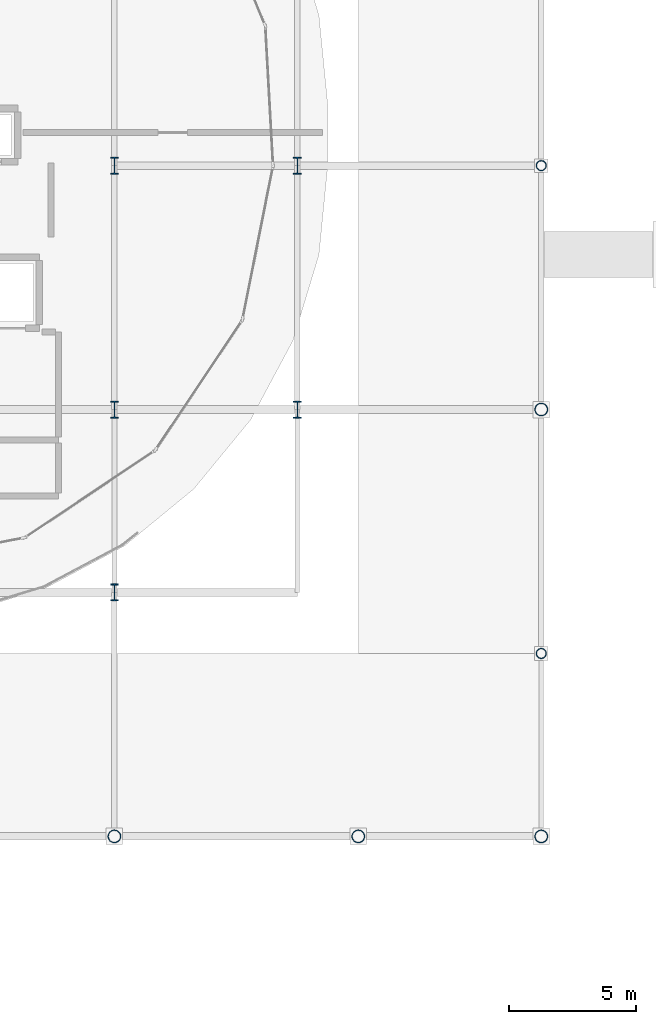
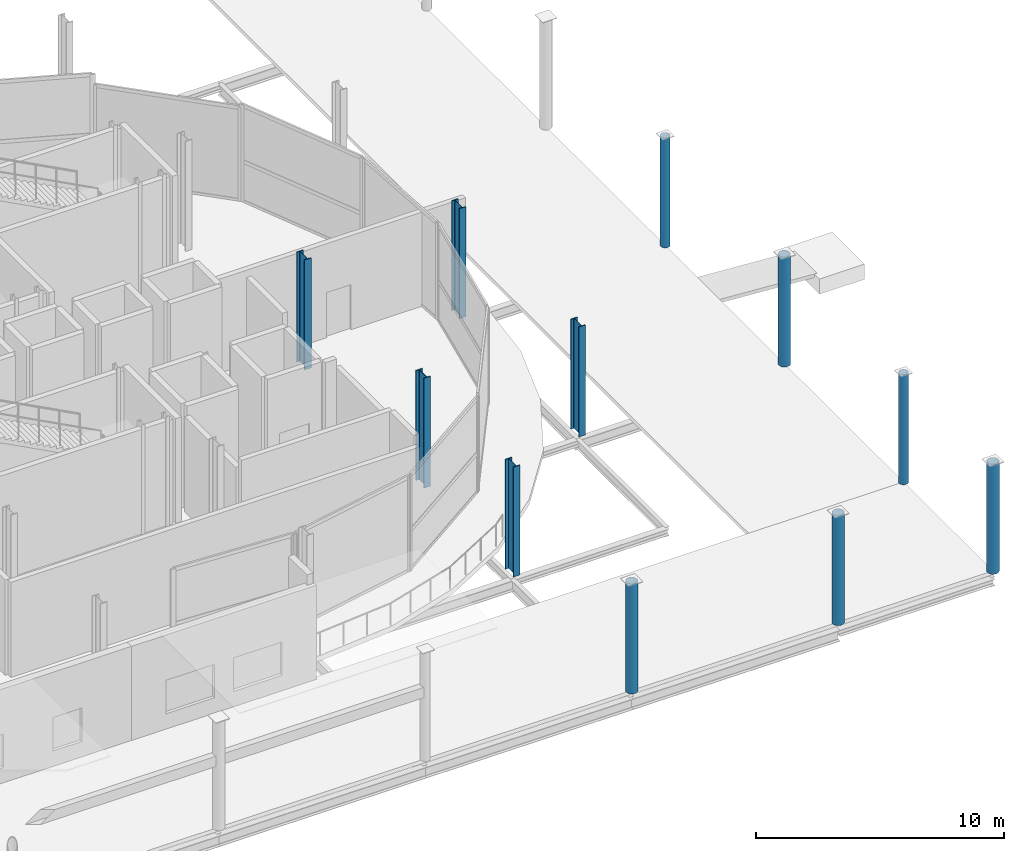
# One storey, part 21 of 84: 11 columns.
"""IFC4 building model written with IfcOpenShell, lengths in metres."""

from ifc_helpers import new_model, si_unit, direction, frame, origin, origin_2d, place, context, subcontext, project, spatial, hollow_circle, i_section, extrude, material, material_profile, profile_set, type_object, element, save


model = new_model("IFC4")

# Units and contexts
model_context = context("Model", 3, precision=1e-05, world=origin(), true_north=direction((0.0, 1.0)))
body_context = subcontext(model_context, "Body", "Model", "MODEL_VIEW")
ifc_project = project(units=[si_unit("LENGTHUNIT", "METRE"), si_unit("AREAUNIT", "SQUARE_METRE"), si_unit("VOLUMEUNIT", "CUBIC_METRE"), si_unit("PLANEANGLEUNIT", "RADIAN"), si_unit("MASSUNIT", "GRAM", prefix="KILO")], contexts=[model_context])

# Site, building, storey
site_placement = place(None, origin())
site = spatial("IfcSite", under=ifc_project, at=site_placement, CompositionType="ELEMENT")
building_placement = place(site_placement, origin())
building = spatial("IfcBuilding", under=site, at=building_placement, Name="Zevrakil Square Congress Hotel", CompositionType="ELEMENT")
storey_placement = place(building_placement, origin())
storey = spatial("IfcBuildingStorey", under=building, at=storey_placement, Name="L01", CompositionType="ELEMENT", Elevation=0.0)

# Columns
ifc_material_1 = material(Name="Steel S355", Category="steel")
ifc_material_profile_1 = material_profile(ifc_material_1, hollow_circle(Radius=0.203125, WallThickness=0.02001953125, at=origin_2d()), Name="CHS 406.4x20")
ifc_profile_set_1 = profile_set([ifc_material_profile_1], Name="Steel S355")
column_type_1 = type_object("IfcColumnType", Name="COL-CHS406", PredefinedType="COLUMN", material=ifc_profile_set_1)
for number, where, z_axis, x_axis, name in (
    (1, (172.800048828125, 7.199951171875, 0.0), (0.0, 0.0, 1.0), (1.0, 0.0, 0.0), "L01 column C-243"),
    (2, (172.800048828125, 26.39990234375, 0.0), (0.0, 0.0, 1.0), (1.0, 0.0, 0.0), "L01 column C-245"),
):
    element("IfcColumn", number, at=place(storey_placement, frame(where, z_axis=z_axis, x_axis=x_axis)), inside=storey, type_object=column_type_1, Name=name, PredefinedType="COLUMN", context=body_context, shape_type="SweptSolid", body=[
        extrude(hollow_circle(Radius=0.203125, WallThickness=0.02001953125, at=origin_2d()), origin(), (0.0, 0.0, 1.0), 5.39990234375),
    ])
ifc_material_2 = material(Name="Steel S355", Category="steel")
ifc_material_profile_2 = material_profile(ifc_material_2, hollow_circle(Radius=0.25390625, WallThickness=0.02001953125, at=origin_2d()), Name="CHS 508x20")
ifc_profile_set_2 = profile_set([ifc_material_profile_2], Name="Steel S355")
column_type_2 = type_object("IfcColumnType", Name="COL-CHS508", PredefinedType="COLUMN", material=ifc_profile_set_2)
for number, where, z_axis, x_axis, name in (
    (3, (156.0, 0.0, 0.0), (0.0, 0.0, 1.0), (1.0, 0.0, 0.0), "L01 column C-220"),
    (4, (165.60009765625, 0.0, 0.0), (0.0, 0.0, 1.0), (1.0, 0.0, 0.0), "L01 column C-234"),
    (5, (172.800048828125, 0.0, 0.0), (0.0, 0.0, 1.0), (1.0, 0.0, 0.0), "L01 column C-242"),
    (6, (172.800048828125, 16.800048828125, 0.0), (0.0, 0.0, 1.0), (1.0, 0.0, 0.0), "L01 column C-244"),
):
    element("IfcColumn", number, at=place(storey_placement, frame(where, z_axis=z_axis, x_axis=x_axis)), inside=storey, type_object=column_type_2, Name=name, PredefinedType="COLUMN", context=body_context, shape_type="SweptSolid", body=[
        extrude(hollow_circle(Radius=0.25390625, WallThickness=0.02001953125, at=origin_2d()), origin(), (0.0, 0.0, 1.0), 5.39990234375),
    ])
ifc_material_3 = material(Name="Steel S355", Category="steel")
ifc_material_profile_3 = material_profile(ifc_material_3, i_section(OverallWidth=0.304931640625, OverallDepth=0.66796875, WebThickness=0.02099609375, FlangeThickness=0.0400390625, FilletRadius=0.027099609375, at=origin_2d()), Name="HEM 650")
ifc_profile_set_3 = profile_set([ifc_material_profile_3], Name="Steel S355")
column_type_3 = type_object("IfcColumnType", Name="COL-HEM650", PredefinedType="COLUMN", material=ifc_profile_set_3)
for number, where, z_axis, x_axis, name in (
    (7, (156.0, 9.60009765625, 0.0), (0.0, 0.0, 1.0), (1.0, 0.0, 0.0), "L01 column C-221"),
    (8, (156.0, 16.800048828125, 0.0), (0.0, 0.0, 1.0), (1.0, 0.0, 0.0), "L01 column C-222"),
    (9, (156.0, 26.39990234375, 0.0), (0.0, 0.0, 1.0), (1.0, 0.0, 0.0), "L01 column C-223"),
    (10, (163.199951171875, 16.800048828125, 0.0), (0.0, 0.0, 1.0), (1.0, 0.0, 0.0), "L01 column C-230"),
    (11, (163.199951171875, 26.39990234375, 0.0), (0.0, 0.0, 1.0), (1.0, 0.0, 0.0), "L01 column C-231"),
):
    element("IfcColumn", number, at=place(storey_placement, frame(where, z_axis=z_axis, x_axis=x_axis)), inside=storey, type_object=column_type_3, Name=name, PredefinedType="COLUMN", context=body_context, shape_type="SweptSolid", body=[
        extrude(i_section(OverallWidth=0.304931640625, OverallDepth=0.66796875, WebThickness=0.02099609375, FlangeThickness=0.0400390625, FilletRadius=0.027099609375, at=origin_2d()), origin(), (0.0, 0.0, 1.0), 5.39990234375),
    ])

save(model, "model.ifc")
